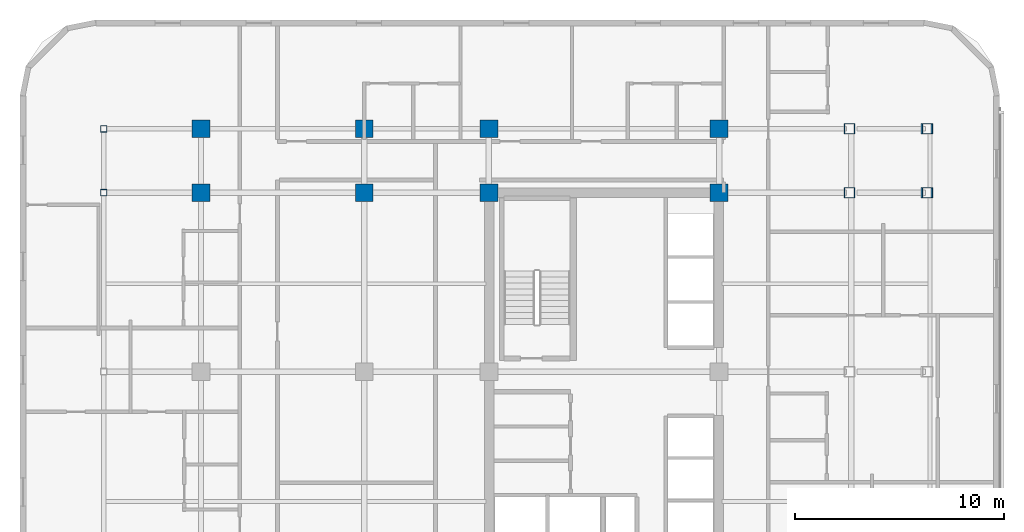
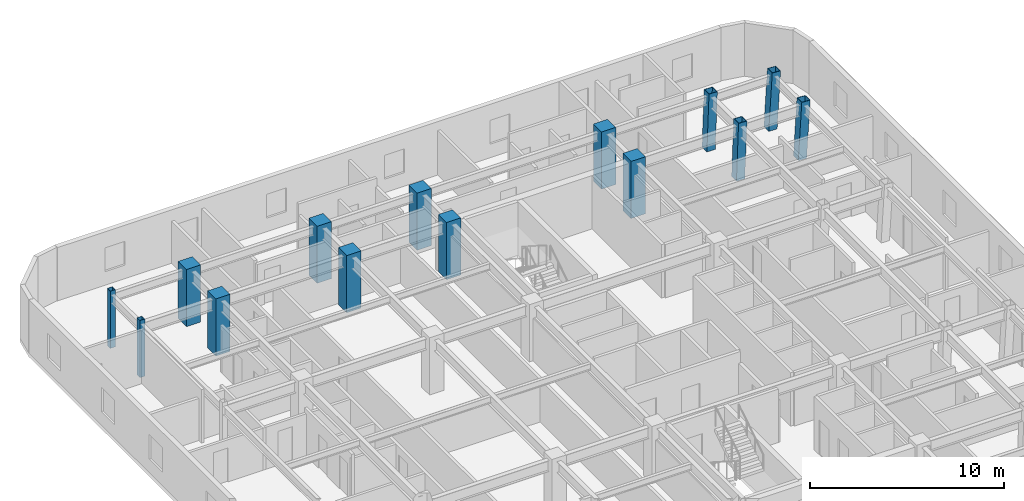
# One storey, part 3 of 14: 14 columns.
"""IFC4 building model written with IfcOpenShell, lengths in metres."""

from ifc_helpers import new_model, si_unit, direction, frame, origin, origin_2d, place, context, subcontext, project, spatial, rectangle, hollow_rectangle, extrude, material, material_profile, profile_set, type_object, element, save


model = new_model("IFC4")

# Units and contexts
model_context = context("Model", 3, precision=1e-05, world=origin(), true_north=direction((0.0, 1.0)))
body_context = subcontext(model_context, "Body", "Model", "MODEL_VIEW")
ifc_project = project(units=[si_unit("LENGTHUNIT", "METRE"), si_unit("AREAUNIT", "SQUARE_METRE"), si_unit("VOLUMEUNIT", "CUBIC_METRE"), si_unit("PLANEANGLEUNIT", "RADIAN"), si_unit("MASSUNIT", "GRAM", prefix="KILO")], contexts=[model_context])

# Site, building, storey
site_placement = place(None, origin())
site = spatial("IfcSite", under=ifc_project, at=site_placement, CompositionType="ELEMENT")
building_placement = place(site_placement, origin())
building = spatial("IfcBuilding", under=site, at=building_placement, Name="Ochreholt Gables", CompositionType="ELEMENT")
storey_placement = place(building_placement, frame((0.0, 0.0, 42.0)))
storey = spatial("IfcBuildingStorey", under=building, at=storey_placement, Name="L10", CompositionType="ELEMENT", Elevation=42.0)

# Columns
ifc_material_1 = material(Name="Steel CSA G40.21 350W", Category="steel")
ifc_material_profile_1 = material_profile(ifc_material_1, hollow_rectangle(XDim=0.304931640625, YDim=0.304931640625, WallThickness=0.0126953125, at=origin_2d()), Name="HSS305X305X13")
ifc_profile_set_1 = profile_set([ifc_material_profile_1], Name="Steel CSA G40.21 350W")
column_type_1 = type_object("IfcColumnType", Name="COL-HSS305-EXT", PredefinedType="COLUMN", material=ifc_profile_set_1)
for number, where, z_axis, x_axis, name in (
    (1, (5.800048828125, 38.75, 0.0), (0.0, 0.0, 1.0), (1.0, 0.0, 0.0), "L10 Column WTY5"),
    (2, (5.800048828125, 41.800048828125, 0.0), (0.0, 0.0, 1.0), (1.0, 0.0, 0.0), "L10 Column WTY6"),
):
    element("IfcColumn", number, at=place(storey_placement, frame(where, z_axis=z_axis, x_axis=x_axis)), inside=storey, type_object=column_type_1, Name=name, PredefinedType="COLUMN", context=body_context, shape_type="SweptSolid", body=[
        extrude(hollow_rectangle(XDim=0.304931640625, YDim=0.304931640625, WallThickness=0.0126953125, at=origin_2d()), origin(), (0.0, 0.0, 1.0), 3.60009765625),
    ])
ifc_material_profile_2 = material_profile(ifc_material_1, hollow_rectangle(XDim=0.5, YDim=0.5, WallThickness=0.02197265625, at=origin_2d()), Name="HSS500X500X22")
ifc_profile_set_2 = profile_set([ifc_material_profile_2], Name="Steel CSA G40.21 350W")
column_type_2 = type_object("IfcColumnType", Name="COL-HSS500-RAK", PredefinedType="COLUMN", material=ifc_profile_set_2)
column_1_placement = place(storey_placement, frame((41.406005859375, 38.75, 0.0), z_axis=(0.034971136209, 0.0, 0.999388322742), x_axis=(0.0, 1.0, 0.0)))
element("IfcColumn", 3, at=column_1_placement, inside=storey, type_object=column_type_2, Name="L10 Column EMY5", PredefinedType="COLUMN", context=body_context, shape_type="SweptSolid", body=[
    extrude(hollow_rectangle(XDim=0.5, YDim=0.5, WallThickness=0.02197265625, at=origin_2d()), origin(), (0.0, 0.0, 1.0), 3.602294921875),
])
ifc_material_profile_3 = material_profile(ifc_material_1, hollow_rectangle(XDim=0.5, YDim=0.5, WallThickness=0.02197265625, at=origin_2d()), Name="HSS500X500X22")
ifc_profile_set_3 = profile_set([ifc_material_profile_3], Name="Steel CSA G40.21 350W")
column_type_3 = type_object("IfcColumnType", Name="COL-HSS500-RAKE", PredefinedType="COLUMN", material=ifc_profile_set_3)
column_2_placement = place(storey_placement, frame((41.406005859375, 41.800048828125, 0.0), z_axis=(0.034971136209, 0.0, 0.999388322742), x_axis=(0.0, 1.0, 0.0)))
element("IfcColumn", 4, at=column_2_placement, inside=storey, type_object=column_type_3, Name="L10 Column EMY6", PredefinedType="COLUMN", context=body_context, shape_type="SweptSolid", body=[
    extrude(hollow_rectangle(XDim=0.5, YDim=0.5, WallThickness=0.02197265625, at=origin_2d()), origin(), (0.0, 0.0, 1.0), 3.602294921875),
])
for number, where, z_axis, x_axis, name in (
    (5, (45.0927734375, 38.75, 0.0), (0.057884606321, 0.0, 0.998323280481), (0.0, 1.0, 0.0), "L10 Column EEY5"),
    (6, (45.0927734375, 41.800048828125, 0.0), (0.057884606321, 0.0, 0.998323280481), (0.0, 1.0, 0.0), "L10 Column EEY6"),
):
    element("IfcColumn", number, at=place(storey_placement, frame(where, z_axis=z_axis, x_axis=x_axis)), inside=storey, type_object=column_type_3, Name=name, PredefinedType="COLUMN", context=body_context, shape_type="SweptSolid", body=[
        extrude(hollow_rectangle(XDim=0.5, YDim=0.5, WallThickness=0.02197265625, at=origin_2d()), origin(), (0.0, 0.0, 1.0), 3.606201171875),
    ])
ifc_material_2 = material(Name="Concrete 60 MPa", Category="concrete")
ifc_material_profile_4 = material_profile(ifc_material_2, rectangle(XDim=0.85009765625, YDim=0.85009765625, at=origin_2d()), Name="RC850X850")
ifc_profile_set_4 = profile_set([ifc_material_profile_4], Name="Concrete 60 MPa")
column_type_4 = type_object("IfcColumnType", Name="COL-RC850-EXT", PredefinedType="COLUMN", material=ifc_profile_set_4)
for number, where, z_axis, x_axis, name in (
    (7, (10.449951171875, 41.800048828125, 0.0), (0.0, 0.0, 1.0), (1.0, 0.0, 0.0), "L10 Column W2Y6"),
    (8, (18.25, 41.800048828125, 0.0), (0.0, 0.0, 1.0), (1.0, 0.0, 0.0), "L10 Column W3Y6"),
    (9, (24.199951171875, 41.800048828125, 0.0), (0.0, 0.0, 1.0), (1.0, 0.0, 0.0), "L10 Column C1Y6"),
    (10, (35.199951171875, 41.800048828125, 0.0), (0.0, 0.0, 1.0), (1.0, 0.0, 0.0), "L10 Column C2Y6"),
):
    element("IfcColumn", number, at=place(storey_placement, frame(where, z_axis=z_axis, x_axis=x_axis)), inside=storey, type_object=column_type_4, Name=name, PredefinedType="COLUMN", context=body_context, shape_type="SweptSolid", body=[
        extrude(rectangle(XDim=0.85009765625, YDim=0.85009765625, at=origin_2d()), origin(), (0.0, 0.0, 1.0), 3.60009765625),
    ])
ifc_material_profile_5 = material_profile(ifc_material_2, rectangle(XDim=0.85009765625, YDim=0.85009765625, at=origin_2d()), Name="RC850X850")
ifc_profile_set_5 = profile_set([ifc_material_profile_5], Name="Concrete 60 MPa")
column_type_5 = type_object("IfcColumnType", Name="COL-RC850-INT", PredefinedType="COLUMN", material=ifc_profile_set_5)
for number, where, z_axis, x_axis, name in (
    (11, (10.449951171875, 38.75, 0.0), (0.0, 0.0, 1.0), (1.0, 0.0, 0.0), "L10 Column W2Y5"),
    (12, (18.25, 38.75, 0.0), (0.0, 0.0, 1.0), (1.0, 0.0, 0.0), "L10 Column W3Y5"),
    (13, (24.199951171875, 38.75, 0.0), (0.0, 0.0, 1.0), (1.0, 0.0, 0.0), "L10 Column C1Y5"),
    (14, (35.199951171875, 38.75, 0.0), (0.0, 0.0, 1.0), (1.0, 0.0, 0.0), "L10 Column C2Y5"),
):
    element("IfcColumn", number, at=place(storey_placement, frame(where, z_axis=z_axis, x_axis=x_axis)), inside=storey, type_object=column_type_5, Name=name, PredefinedType="COLUMN", context=body_context, shape_type="SweptSolid", body=[
        extrude(rectangle(XDim=0.85009765625, YDim=0.85009765625, at=origin_2d()), origin(), (0.0, 0.0, 1.0), 3.60009765625),
    ])

save(model, "model.ifc")
